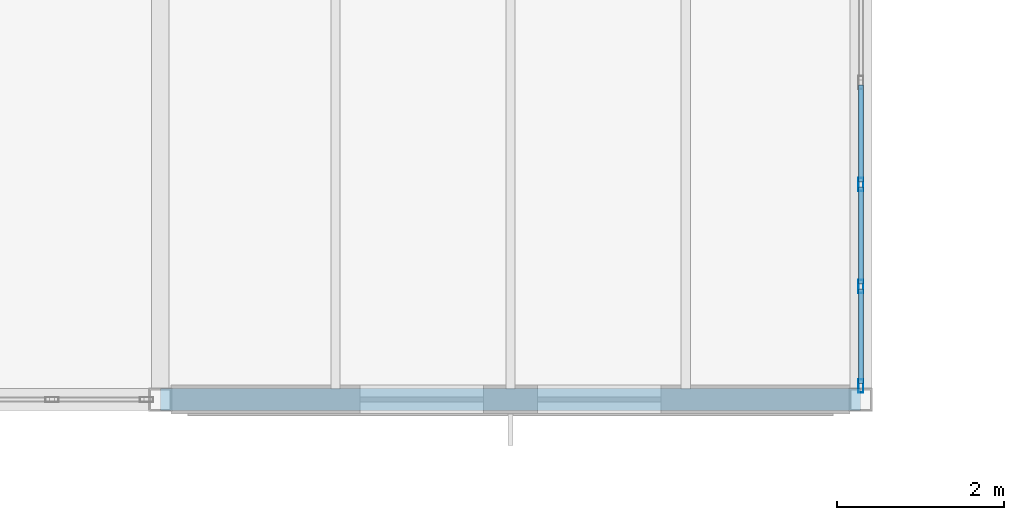
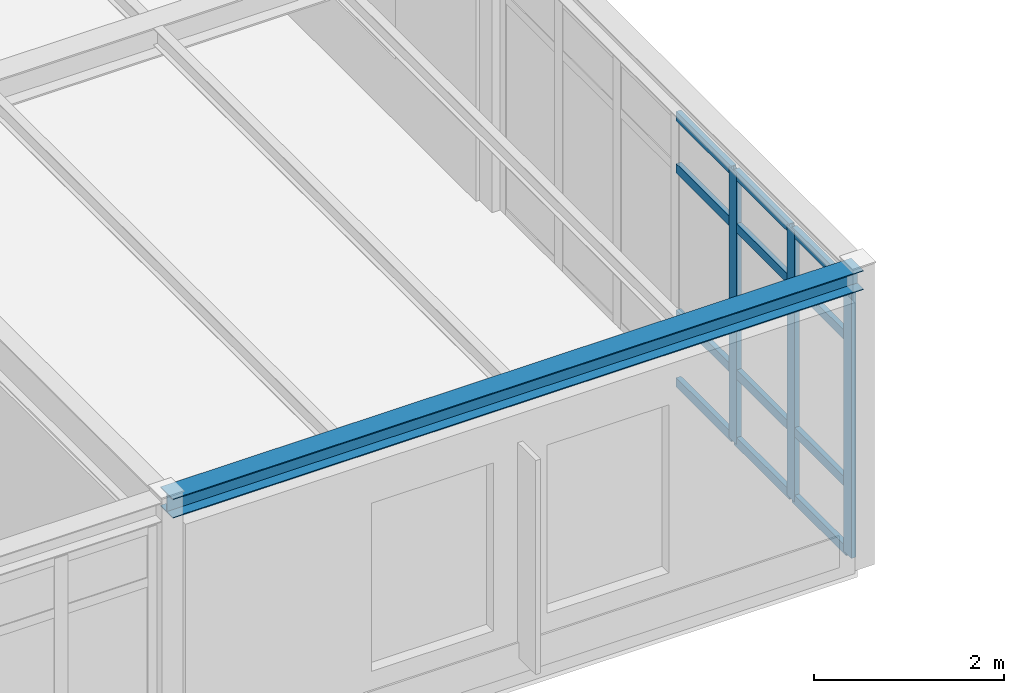
# One storey, part 95 of 189: 15 members, 1 beam, 1 element without a shape of its own.
"""IFC4 building model written with IfcOpenShell, lengths in metres."""

import ifcopenshell
import ifcopenshell.guid

model = None  # the IFC model being written
_history = None  # IfcOwnerHistory: only IFC2X3 demands one
_inside = {}  # id of a spatial element -> (the spatial element, [elements in it])
_under = {}  # id of a project, library or spatial element -> (it, [spatial elements below it])
_declared = {}  # id of a project -> (the project, [libraries it declares])
_typed = {}  # id of a type object -> (the type object, [elements of that type])
_made_of = {}  # id of a material, layer set ... -> (it, [elements and type objects made of it])


def new_model(schema):
    """Start an empty IFC model of exactly this schema.

    Asked for "IFC4X3", IfcOpenShell would pick the latest addendum, in which some entities
    have other attributes; the version numbers below select the first issue.
    IFC2X3 requires an IfcOwnerHistory on every rooted entity: one is made here for all.
    """
    global model, _history
    if schema == "IFC4X3":
        model = ifcopenshell.file(schema_version=(4, 3, 0, 0))
    else:
        model = ifcopenshell.file(schema=schema)
    _inside.clear()
    _under.clear()
    _declared.clear()
    _typed.clear()
    _made_of.clear()
    _history = None
    if model.schema == "IFC2X3":
        org = make("IfcOrganization", Name="unknown")
        user = make(
            "IfcPersonAndOrganization",
            ThePerson=make("IfcPerson", FamilyName="unknown"),
            TheOrganization=org,
        )
        app = make(
            "IfcApplication",
            ApplicationDeveloper=org,
            Version="unknown",
            ApplicationFullName="unknown",
            ApplicationIdentifier="unknown",
        )
        _history = make(
            "IfcOwnerHistory",
            OwningUser=user,
            OwningApplication=app,
            ChangeAction="ADDED",
            CreationDate=0,
        )
    return model


def make(cls, **values):
    """One entity of the class cls with the attributes given. An attribute that is None is left unset."""
    return model.create_entity(
        cls, **{name: value for name, value in values.items() if value is not None}
    )


def rooted(cls, **values):
    """An entity with a GlobalId (a new one), such as an element, a storey or a relation."""
    return make(cls, GlobalId=ifcopenshell.guid.new(), OwnerHistory=_history, **values)


def si_unit(unit_type, name, prefix=None):
    """IfcSIUnit, for example si_unit("LENGTHUNIT", "METRE", prefix="MILLI")."""
    return make("IfcSIUnit", UnitType=unit_type, Prefix=prefix, Name=name)


def assignment(units):
    """IfcUnitAssignment: the units of a project."""
    return None if units is None else make("IfcUnitAssignment", Units=units)


def point(xyz):
    """IfcCartesianPoint."""
    return None if xyz is None else make("IfcCartesianPoint", Coordinates=xyz)


def direction(xyz):
    """IfcDirection."""
    return None if xyz is None else make("IfcDirection", DirectionRatios=xyz)


def frame(location, z_axis=None, x_axis=None):
    """IfcAxis2Placement3D, a coordinate frame: its origin and axes. An axis left out is left unset."""
    return make(
        "IfcAxis2Placement3D",
        Location=point(location),
        Axis=direction(z_axis),
        RefDirection=direction(x_axis),
    )


def frame_2d(location, x_axis=None):
    """IfcAxis2Placement2D, a coordinate frame in the plane: its origin and x axis."""
    return make(
        "IfcAxis2Placement2D", Location=point(location), RefDirection=direction(x_axis)
    )


def origin():
    """The frame at (0, 0, 0) with its axes left unset."""
    return frame((0.0, 0.0, 0.0))


def origin_2d():
    """The frame at (0, 0) in the plane with its x axis left unset."""
    return frame_2d((0.0, 0.0))


def place(relative_to, where):
    """IfcLocalPlacement: puts the frame where relative to a parent placement (None: the world)."""
    return make(
        "IfcLocalPlacement", PlacementRelTo=relative_to, RelativePlacement=where
    )


def context(
    kind, dimensions, precision=None, world=None, true_north=None, identifier=None
):
    """IfcGeometricRepresentationContext, for example the 3D "Model" context."""
    return make(
        "IfcGeometricRepresentationContext",
        ContextIdentifier=identifier,
        ContextType=kind,
        CoordinateSpaceDimension=dimensions,
        Precision=precision,
        WorldCoordinateSystem=world,
        TrueNorth=true_north,
    )


def subcontext(parent, identifier, kind, view, scale=None):
    """IfcGeometricRepresentationSubContext, for example "Body" below "Model"."""
    return make(
        "IfcGeometricRepresentationSubContext",
        ContextIdentifier=identifier,
        ContextType=kind,
        ParentContext=parent,
        TargetScale=scale,
        TargetView=view,
    )


def project(units=None, contexts=None):
    """IfcProject with its units and contexts."""
    return rooted(
        "IfcProject",
        Name="project",
        RepresentationContexts=contexts,
        UnitsInContext=assignment(units),
    )


def spatial(cls, under=None, at=None, **own):
    """A site, building, storey or space (cls), placed at a placement, below another one or the project."""
    s = rooted(cls, ObjectPlacement=at, **own)
    if under is not None:
        _under.setdefault(under.id(), (under, []))[1].append(s)
    return s


def profile(cls, at=None, kind="AREA", **sizes):
    """A parametric profile (cls). Its sizes go by their IFC names, for example OverallWidth=200.0."""
    return make(cls, ProfileType=kind, Position=at, **sizes)


def hollow_rectangle(**sizes):
    """IfcRectangleHollowProfileDef."""
    return profile("IfcRectangleHollowProfileDef", **sizes)


def i_section(**sizes):
    """IfcIShapeProfileDef."""
    return profile("IfcIShapeProfileDef", **sizes)


def extrude(swept, where, along, depth):
    """IfcExtrudedAreaSolid: the profile swept, set in the frame where, extruded along a direction by depth."""
    return make(
        "IfcExtrudedAreaSolid",
        SweptArea=swept,
        Position=where,
        ExtrudedDirection=direction(along),
        Depth=depth,
    )


def shape(context_of_items, identifier, shape_type, items):
    """IfcShapeRepresentation: the items that make up one representation, for example the "Body"."""
    return make(
        "IfcShapeRepresentation",
        ContextOfItems=context_of_items,
        RepresentationIdentifier=identifier,
        RepresentationType=shape_type,
        Items=items,
    )


def material(Name=None, Category=None):
    """IfcMaterial."""
    return make("IfcMaterial", Name=Name, Category=Category)


def layer(
    of_material, thickness, ventilated=None, Name=None, Category=None, Priority=None
):
    """IfcMaterialLayer: one layer of a wall or slab, of a material (None: an air gap)."""
    return make(
        "IfcMaterialLayer",
        Material=of_material,
        LayerThickness=thickness,
        IsVentilated=ventilated,
        Name=Name,
        Category=Category,
        Priority=Priority,
    )


def layer_set(layers, Name=None):
    """IfcMaterialLayerSet."""
    return make("IfcMaterialLayerSet", MaterialLayers=layers, LayerSetName=Name)


def material_profile(
    of_material, cross_section, Name=None, Category=None, Priority=None
):
    """IfcMaterialProfile: a cross section and its material."""
    return make(
        "IfcMaterialProfile",
        Name=Name,
        Material=of_material,
        Profile=cross_section,
        Priority=Priority,
        Category=Category,
    )


def profile_set(profiles, Name=None, composite=None):
    """IfcMaterialProfileSet."""
    return make(
        "IfcMaterialProfileSet",
        Name=Name,
        MaterialProfiles=profiles,
        CompositeProfile=composite,
    )


def made_of(thing, what):
    """Note that an element or type object is made of a material, layer set ...; save() writes the relation."""
    if what is not None:
        _made_of.setdefault(what.id(), (what, []))[1].append(thing)
    return thing


def type_object(cls, material=None, **own):
    """A type object (cls), such as IfcWallType, which elements share."""
    return made_of(rooted(cls, **own), material)


def element(
    cls,
    number,
    at=None,
    inside=None,
    cuts=None,
    type_object=None,
    material=None,
    context=None,
    identifier="Body",
    shape_type=None,
    held_by="IfcProductDefinitionShape",
    body=None,
    shapes=None,
    **own,
):
    """One element of the class cls, such as IfcWall. Its Tag is "e" and its number.

    at: its placement. inside: the storey or other place that contains it. cuts: it is an
    opening in that element (IfcRelVoidsElement). A single representation is given by context,
    identifier, shape_type and body (its items); several are given by shapes. held_by: the class
    of the entity that holds the representations. save() writes the other relations.
    """
    e = rooted(cls, Tag="e%d" % number, ObjectPlacement=at, **own)
    if body is not None:
        shapes = [shape(context, identifier, shape_type, body)]
    if shapes is not None:
        e.Representation = make(held_by, Representations=shapes)
    if inside is not None:
        _inside.setdefault(inside.id(), (inside, []))[1].append(e)
    if cuts is not None:
        rooted(
            "IfcRelVoidsElement", RelatingBuildingElement=cuts, RelatedOpeningElement=e
        )
    if type_object is not None:
        _typed.setdefault(type_object.id(), (type_object, []))[1].append(e)
    return made_of(e, material)


def aggregate(whole, parts):
    """IfcRelAggregates: a whole, such as a stair, and the parts it consists of."""
    return rooted("IfcRelAggregates", RelatingObject=whole, RelatedObjects=parts)


def save(model, path):
    """Write the relations noted so far, then the file.

    IfcRelAggregates (storeys below a building ...), IfcRelContainedInSpatialStructure (elements
    in a storey), IfcRelDefinesByType, IfcRelAssociatesMaterial and IfcRelDeclares: one each for
    every whole, place, type object, material and project.
    """
    for whole, parts in _under.values():
        aggregate(whole, parts)
    for where, things in _inside.values():
        rooted(
            "IfcRelContainedInSpatialStructure",
            RelatedElements=things,
            RelatingStructure=where,
        )
    for kind, things in _typed.values():
        rooted("IfcRelDefinesByType", RelatedObjects=things, RelatingType=kind)
    for what, things in _made_of.values():
        rooted("IfcRelAssociatesMaterial", RelatedObjects=things, RelatingMaterial=what)
    for by, libraries in _declared.values():
        rooted("IfcRelDeclares", RelatingContext=by, RelatedDefinitions=libraries)
    model.write(path)


model = new_model("IFC4")

# Units and contexts
model_context = context("Model", 3, precision=1e-05, world=origin(), true_north=direction((0.0, 1.0)))
body_context = subcontext(model_context, "Body", "Model", "MODEL_VIEW")
ifc_project = project(units=[si_unit("LENGTHUNIT", "METRE"), si_unit("AREAUNIT", "SQUARE_METRE"), si_unit("VOLUMEUNIT", "CUBIC_METRE"), si_unit("PLANEANGLEUNIT", "RADIAN"), si_unit("MASSUNIT", "GRAM", prefix="KILO")], contexts=[model_context])

# Site, building, storey
site_placement = place(None, origin())
site = spatial("IfcSite", under=ifc_project, at=site_placement, CompositionType="ELEMENT")
building_placement = place(site_placement, origin())
building = spatial("IfcBuilding", under=site, at=building_placement, Name="Montecoro Central Library", CompositionType="ELEMENT")
storey_placement = place(building_placement, frame((0.0, 0.0, 9.179931640625)))
storey = spatial("IfcBuildingStorey", under=building, at=storey_placement, Name="L02", CompositionType="ELEMENT", Elevation=9.179931640625)

# Beam
ifc_material_1 = material(Name="Steel S355", Category="steel")
ifc_material_profile_1 = material_profile(ifc_material_1, i_section(OverallWidth=0.260009765625, OverallDepth=0.25, WebThickness=0.007568359375, FlangeThickness=0.012451171875, at=origin_2d()), Name="HEA 260")
ifc_profile_set_1 = profile_set([ifc_material_profile_1], Name="Steel S355")
beam_type = type_object("IfcBeamType", Name="BM-SP-HEA260", PredefinedType="SPANDREL", material=ifc_profile_set_1)
beam_placement = place(storey_placement, frame((108.405029296875, 81.0, 3.699951171875), z_axis=(1.0, 0.0, 0.0), x_axis=(0.0, 1.0, 0.0)))
element("IfcBeam", 1, at=beam_placement, inside=storey, type_object=beam_type, Name="V2-L02-BX-1415-L", PredefinedType="SPANDREL", context=body_context, shape_type="SweptSolid", body=[
    extrude(i_section(OverallWidth=0.260009765625, OverallDepth=0.25, WebThickness=0.007568359375, FlangeThickness=0.012451171875, at=origin_2d()), origin(), (0.0, 0.0, 1.0), 8.389892578125),
])

# Curtain wall, members
ifc_material_2 = material(Name="Bronze-anodised aluminium and low-E glazing", Category="aluminium")
ifc_layer = layer(ifc_material_2, 0.159912109375)
ifc_layer_set = layer_set([ifc_layer], Name="Bronze-anodised aluminium and low-E glazing")
curtain_wall_type = type_object("IfcCurtainWallType", Name="CWT-015", PredefinedType="NOTDEFINED", material=ifc_layer_set)
curtain_wall_placement = place(storey_placement, origin())
curtain_wall = element("IfcCurtainWall", 2, at=curtain_wall_placement, inside=storey, type_object=curtain_wall_type, Name="V2-L02-CW-E0", PredefinedType="NOTDEFINED")
ifc_material_3 = material(Name="Bronze-anodised aluminium", Category="aluminium")
ifc_material_profile_2 = material_profile(ifc_material_3, hollow_rectangle(XDim=0.06005859375, YDim=0.159912109375, WallThickness=0.00390625, at=origin_2d()), Name="CWM 160x60x4.0")
ifc_profile_set_2 = profile_set([ifc_material_profile_2], Name="Bronze-anodised aluminium")
member_type_1 = type_object("IfcMemberType", Name="CWM-BRZ-60", PredefinedType="MULLION", material=ifc_profile_set_2)
member_1_placement = place(storey_placement, frame((116.800048828125, 81.1630859375, 0.0), z_axis=(0.0, 0.0, 1.0), x_axis=(-1.0, 0.0, 0.0)))
member_1 = element("IfcMember", 3, at=member_1_placement, type_object=member_type_1, Name="CW-015 mullion 1", PredefinedType="MULLION", context=body_context, shape_type="SweptSolid", body=[
    extrude(hollow_rectangle(XDim=0.06005859375, YDim=0.159912109375, WallThickness=0.00390625, at=origin_2d()), origin(), (0.0, 0.0, 1.0), 3.47998046875),
])
member_2_placement = place(storey_placement, frame((116.800048828125, 82.355224609375, 0.0), z_axis=(0.0, 0.0, 1.0), x_axis=(-1.0, 0.0, 0.0)))
member_2 = element("IfcMember", 4, at=member_2_placement, type_object=member_type_1, Name="CW-015 mullion 2", PredefinedType="MULLION", context=body_context, shape_type="SweptSolid", body=[
    extrude(hollow_rectangle(XDim=0.06005859375, YDim=0.159912109375, WallThickness=0.00390625, at=origin_2d()), origin(), (0.0, 0.0, 1.0), 3.47998046875),
])
member_3_placement = place(storey_placement, frame((116.800048828125, 83.57763671875, 0.0), z_axis=(0.0, 0.0, 1.0), x_axis=(-1.0, 0.0, 0.0)))
member_3 = element("IfcMember", 5, at=member_3_placement, type_object=member_type_1, Name="CW-015 mullion 3", PredefinedType="MULLION", context=body_context, shape_type="SweptSolid", body=[
    extrude(hollow_rectangle(XDim=0.06005859375, YDim=0.159912109375, WallThickness=0.00390625, at=origin_2d()), origin(), (0.0, 0.0, 1.0), 3.47998046875),
])
ifc_material_profile_3 = material_profile(ifc_material_3, hollow_rectangle(XDim=0.06005859375, YDim=0.1201171875, WallThickness=0.00390625, at=origin_2d()), Name="CWT 120x60x4.0")
ifc_profile_set_3 = profile_set([ifc_material_profile_3], Name="Bronze-anodised aluminium")
member_type_2 = type_object("IfcMemberType", Name="CWT-BRZ-60", PredefinedType="USERDEFINED", material=ifc_profile_set_3)
member_4_placement = place(storey_placement, frame((116.800048828125, 81.193115234375, 0.030029296875), z_axis=(0.0, 1.0, 0.0), x_axis=(-1.0, 0.0, 0.0)))
member_4 = element("IfcMember", 6, at=member_4_placement, type_object=member_type_2, Name="CW-015 transom 1.1", ObjectType="TRANSOM", PredefinedType="USERDEFINED", context=body_context, shape_type="SweptSolid", body=[
    extrude(hollow_rectangle(XDim=0.06005859375, YDim=0.1201171875, WallThickness=0.00390625, at=origin_2d()), origin(), (0.0, 0.0, 1.0), 1.13232421875),
])
member_5_placement = place(storey_placement, frame((116.800048828125, 81.193115234375, 0.900146484375), z_axis=(0.0, 1.0, 0.0), x_axis=(-1.0, 0.0, 0.0)))
member_5 = element("IfcMember", 7, at=member_5_placement, type_object=member_type_2, Name="CW-015 transom 1.2", ObjectType="TRANSOM", PredefinedType="USERDEFINED", context=body_context, shape_type="SweptSolid", body=[
    extrude(hollow_rectangle(XDim=0.06005859375, YDim=0.1201171875, WallThickness=0.00390625, at=origin_2d()), origin(), (0.0, 0.0, 1.0), 1.13232421875),
])
member_6_placement = place(storey_placement, frame((116.800048828125, 81.193115234375, 2.780029296875), z_axis=(0.0, 1.0, 0.0), x_axis=(-1.0, 0.0, 0.0)))
member_6 = element("IfcMember", 8, at=member_6_placement, type_object=member_type_2, Name="CW-015 transom 1.3", ObjectType="TRANSOM", PredefinedType="USERDEFINED", context=body_context, shape_type="SweptSolid", body=[
    extrude(hollow_rectangle(XDim=0.06005859375, YDim=0.1201171875, WallThickness=0.00390625, at=origin_2d()), origin(), (0.0, 0.0, 1.0), 1.13232421875),
])
member_7_placement = place(storey_placement, frame((116.800048828125, 81.193115234375, 3.449951171875), z_axis=(0.0, 1.0, 0.0), x_axis=(-1.0, 0.0, 0.0)))
member_7 = element("IfcMember", 9, at=member_7_placement, type_object=member_type_2, Name="CW-015 transom 1.4", ObjectType="TRANSOM", PredefinedType="USERDEFINED", context=body_context, shape_type="SweptSolid", body=[
    extrude(hollow_rectangle(XDim=0.06005859375, YDim=0.1201171875, WallThickness=0.00390625, at=origin_2d()), origin(), (0.0, 0.0, 1.0), 1.13232421875),
])
member_8_placement = place(storey_placement, frame((116.800048828125, 82.38525390625, 0.030029296875), z_axis=(0.0, 1.0, 0.0), x_axis=(-1.0, 0.0, 0.0)))
member_8 = element("IfcMember", 10, at=member_8_placement, type_object=member_type_2, Name="CW-015 transom 2.1", ObjectType="TRANSOM", PredefinedType="USERDEFINED", context=body_context, shape_type="SweptSolid", body=[
    extrude(hollow_rectangle(XDim=0.06005859375, YDim=0.1201171875, WallThickness=0.00390625, at=origin_2d()), origin(), (0.0, 0.0, 1.0), 1.162353515625),
])
member_9_placement = place(storey_placement, frame((116.800048828125, 82.38525390625, 0.900146484375), z_axis=(0.0, 1.0, 0.0), x_axis=(-1.0, 0.0, 0.0)))
member_9 = element("IfcMember", 11, at=member_9_placement, type_object=member_type_2, Name="CW-015 transom 2.2", ObjectType="TRANSOM", PredefinedType="USERDEFINED", context=body_context, shape_type="SweptSolid", body=[
    extrude(hollow_rectangle(XDim=0.06005859375, YDim=0.1201171875, WallThickness=0.00390625, at=origin_2d()), origin(), (0.0, 0.0, 1.0), 1.162353515625),
])
member_10_placement = place(storey_placement, frame((116.800048828125, 82.38525390625, 2.780029296875), z_axis=(0.0, 1.0, 0.0), x_axis=(-1.0, 0.0, 0.0)))
member_10 = element("IfcMember", 12, at=member_10_placement, type_object=member_type_2, Name="CW-015 transom 2.3", ObjectType="TRANSOM", PredefinedType="USERDEFINED", context=body_context, shape_type="SweptSolid", body=[
    extrude(hollow_rectangle(XDim=0.06005859375, YDim=0.1201171875, WallThickness=0.00390625, at=origin_2d()), origin(), (0.0, 0.0, 1.0), 1.162353515625),
])
member_11_placement = place(storey_placement, frame((116.800048828125, 82.38525390625, 3.449951171875), z_axis=(0.0, 1.0, 0.0), x_axis=(-1.0, 0.0, 0.0)))
member_11 = element("IfcMember", 13, at=member_11_placement, type_object=member_type_2, Name="CW-015 transom 2.4", ObjectType="TRANSOM", PredefinedType="USERDEFINED", context=body_context, shape_type="SweptSolid", body=[
    extrude(hollow_rectangle(XDim=0.06005859375, YDim=0.1201171875, WallThickness=0.00390625, at=origin_2d()), origin(), (0.0, 0.0, 1.0), 1.162353515625),
])
member_12_placement = place(storey_placement, frame((116.800048828125, 83.607666015625, 0.030029296875), z_axis=(0.0, 1.0, 0.0), x_axis=(-1.0, 0.0, 0.0)))
member_12 = element("IfcMember", 14, at=member_12_placement, type_object=member_type_2, Name="CW-015 transom 3.1", ObjectType="TRANSOM", PredefinedType="USERDEFINED", context=body_context, shape_type="SweptSolid", body=[
    extrude(hollow_rectangle(XDim=0.06005859375, YDim=0.1201171875, WallThickness=0.00390625, at=origin_2d()), origin(), (0.0, 0.0, 1.0), 1.162353515625),
])
member_13_placement = place(storey_placement, frame((116.800048828125, 83.607666015625, 0.900146484375), z_axis=(0.0, 1.0, 0.0), x_axis=(-1.0, 0.0, 0.0)))
member_13 = element("IfcMember", 15, at=member_13_placement, type_object=member_type_2, Name="CW-015 transom 3.2", ObjectType="TRANSOM", PredefinedType="USERDEFINED", context=body_context, shape_type="SweptSolid", body=[
    extrude(hollow_rectangle(XDim=0.06005859375, YDim=0.1201171875, WallThickness=0.00390625, at=origin_2d()), origin(), (0.0, 0.0, 1.0), 1.162353515625),
])
member_14_placement = place(storey_placement, frame((116.800048828125, 83.607666015625, 2.780029296875), z_axis=(0.0, 1.0, 0.0), x_axis=(-1.0, 0.0, 0.0)))
member_14 = element("IfcMember", 16, at=member_14_placement, type_object=member_type_2, Name="CW-015 transom 3.3", ObjectType="TRANSOM", PredefinedType="USERDEFINED", context=body_context, shape_type="SweptSolid", body=[
    extrude(hollow_rectangle(XDim=0.06005859375, YDim=0.1201171875, WallThickness=0.00390625, at=origin_2d()), origin(), (0.0, 0.0, 1.0), 1.162353515625),
])
member_15_placement = place(storey_placement, frame((116.800048828125, 83.607666015625, 3.449951171875), z_axis=(0.0, 1.0, 0.0), x_axis=(-1.0, 0.0, 0.0)))
member_15 = element("IfcMember", 17, at=member_15_placement, type_object=member_type_2, Name="CW-015 transom 3.4", ObjectType="TRANSOM", PredefinedType="USERDEFINED", context=body_context, shape_type="SweptSolid", body=[
    extrude(hollow_rectangle(XDim=0.06005859375, YDim=0.1201171875, WallThickness=0.00390625, at=origin_2d()), origin(), (0.0, 0.0, 1.0), 1.162353515625),
])
aggregate(curtain_wall, [member_1, member_2, member_3, member_4, member_5, member_6, member_7, member_8, member_9, member_10, member_11, member_12, member_13, member_14, member_15])

save(model, "model.ifc")
